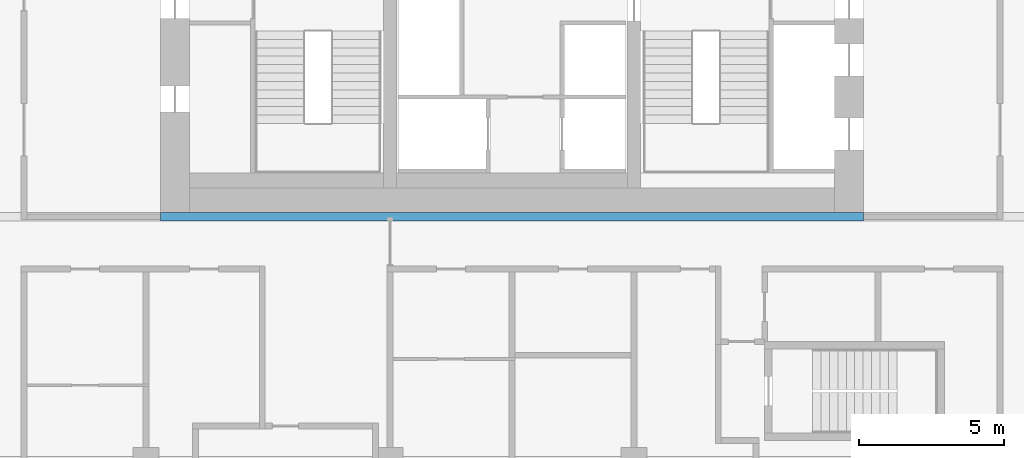
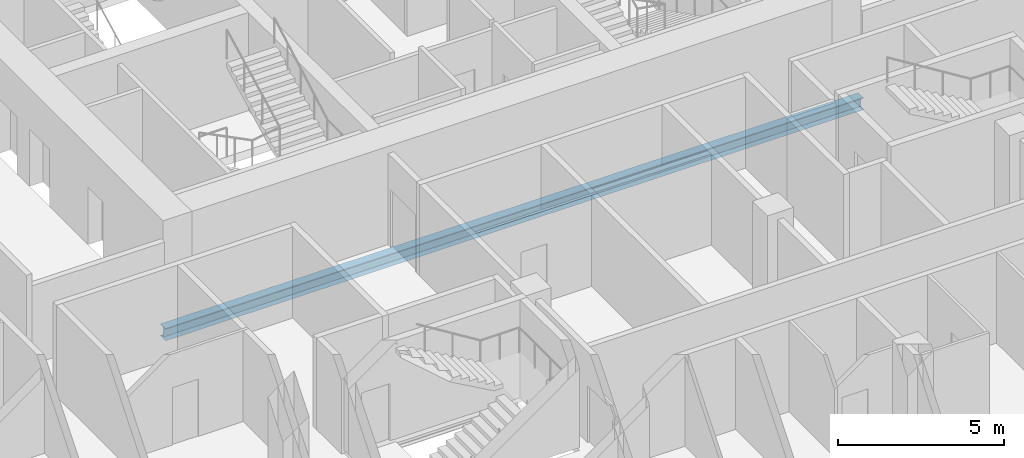
# One storey, part 5 of 23: 1 beam.
"""IFC4 building model written with IfcOpenShell, lengths in metres."""

from ifc_helpers import new_model, si_unit, direction, frame, origin, origin_2d, place, context, subcontext, project, spatial, i_section, extrude, material, material_profile, profile_set, type_object, element, save


model = new_model("IFC4")

# Units and contexts
model_context = context("Model", 3, precision=1e-05, world=origin(), true_north=direction((0.0, 1.0)))
body_context = subcontext(model_context, "Body", "Model", "MODEL_VIEW")
ifc_project = project(units=[si_unit("LENGTHUNIT", "METRE"), si_unit("AREAUNIT", "SQUARE_METRE"), si_unit("VOLUMEUNIT", "CUBIC_METRE"), si_unit("PLANEANGLEUNIT", "RADIAN"), si_unit("MASSUNIT", "GRAM", prefix="KILO")], contexts=[model_context])

# Site, building, storey
site_placement = place(None, origin())
site = spatial("IfcSite", under=ifc_project, at=site_placement, CompositionType="ELEMENT")
building_placement = place(site_placement, origin())
building = spatial("IfcBuilding", under=site, at=building_placement, Name="Marenta Gate Hotel Tower", CompositionType="ELEMENT")
storey_placement = place(building_placement, frame((0.0, 0.0, 162.5)))
storey = spatial("IfcBuildingStorey", under=building, at=storey_placement, Name="L38", CompositionType="ELEMENT", Elevation=162.5)

# Beam
ifc_material = material(Name="Steel S355", Category="steel")
ifc_material_profile = material_profile(ifc_material, i_section(OverallWidth=0.300048828125, OverallDepth=0.449951171875, WebThickness=0.013916015625, FlangeThickness=0.02587890625, FilletRadius=0.027099609375, at=origin_2d()), Name="HEB 450")
ifc_profile_set = profile_set([ifc_material_profile], Name="Steel S355")
beam_type = type_object("IfcBeamType", Name="Girder HEB 450", PredefinedType="BEAM", material=ifc_profile_set)
beam_placement = place(storey_placement, frame((-12.10009765625, 0.0, -0.485107421875), z_axis=(1.0, 0.0, 0.0), x_axis=(0.0, 1.0, 0.0)))
element("IfcBeam", 1, at=beam_placement, inside=storey, type_object=beam_type, Name="L38-GD-17", PredefinedType="BEAM", context=body_context, shape_type="SweptSolid", body=[
    extrude(i_section(OverallWidth=0.300048828125, OverallDepth=0.449951171875, WebThickness=0.013916015625, FlangeThickness=0.02587890625, FilletRadius=0.027099609375, at=origin_2d()), origin(), (0.0, 0.0, 1.0), 24.2001953125),
])

save(model, "model.ifc")
